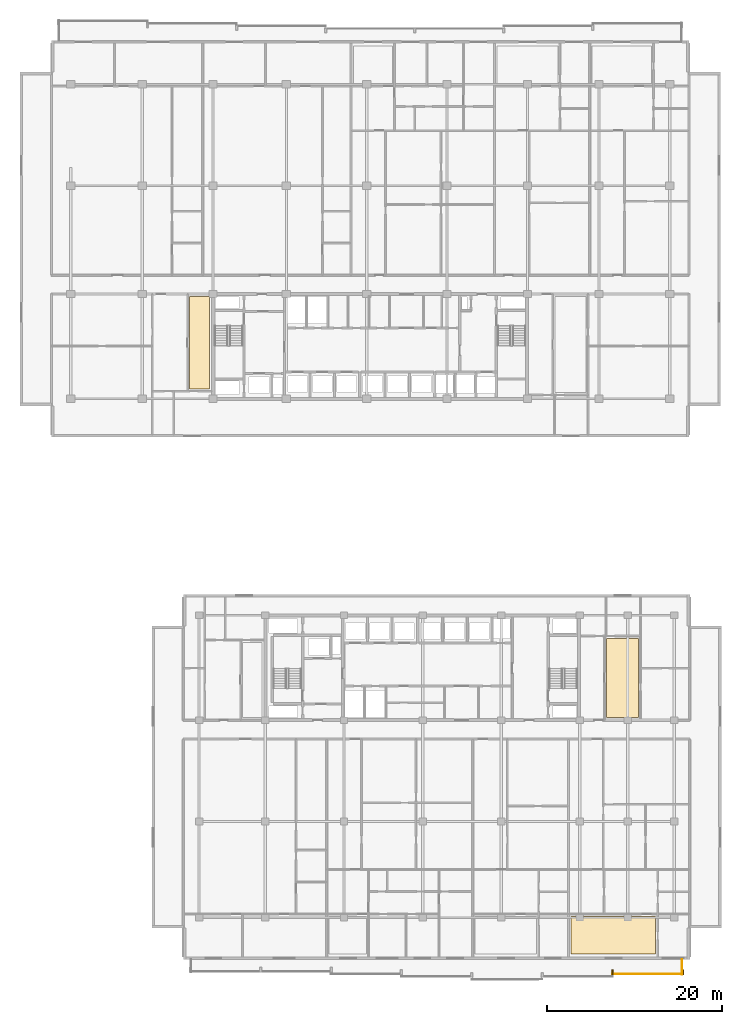
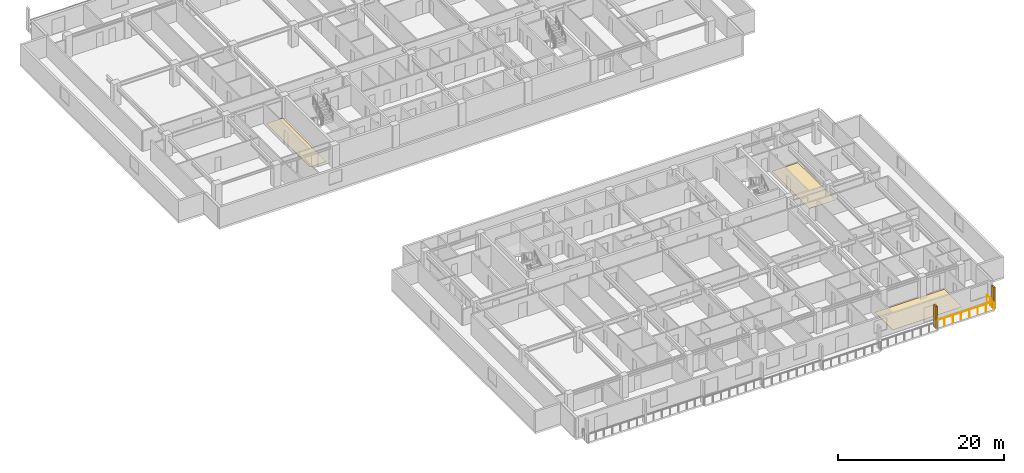
# One storey, part 20 of 22: 3 coverings, 2 railings, 2 shading devices.
"""IFC4 building model written with IfcOpenShell, lengths in metres."""

from ifc_helpers import new_model, si_unit, direction, frame, origin, origin_2d, place, context, subcontext, project, spatial, polyline, rectangle, circle, outline, extrude, material, layer, layer_set, type_object, element, save


model = new_model("IFC4")

# Units and contexts
model_context = context("Model", 3, precision=1e-05, world=origin(), true_north=direction((0.0, 1.0)))
body_context = subcontext(model_context, "Body", "Model", "MODEL_VIEW")
ifc_project = project(units=[si_unit("LENGTHUNIT", "METRE"), si_unit("AREAUNIT", "SQUARE_METRE"), si_unit("VOLUMEUNIT", "CUBIC_METRE"), si_unit("PLANEANGLEUNIT", "RADIAN"), si_unit("MASSUNIT", "GRAM", prefix="KILO")], contexts=[model_context])

# Site, building, storey
site_placement = place(None, origin())
site = spatial("IfcSite", under=ifc_project, at=site_placement, CompositionType="ELEMENT")
building_placement = place(site_placement, origin())
building = spatial("IfcBuilding", under=site, at=building_placement, Name="Korimba Cascade Residences", CompositionType="ELEMENT")
storey_placement = place(building_placement, frame((0.0, 0.0, 90.550048828125)))
storey = spatial("IfcBuildingStorey", under=building, at=storey_placement, Name="L25", CompositionType="ELEMENT", Elevation=90.550048828125)

# Coverings
ifc_material_1 = material(Name="Engineered Spotted-Gum Timber Flooring", Category="wood")
ifc_layer = layer(ifc_material_1, 0.02001953125)
ifc_layer_set = layer_set([ifc_layer], Name="Engineered Spotted-Gum Timber Flooring")
covering_type = type_object("IfcCoveringType", Name="COV-FLR-TIM", PredefinedType="FLOORING", material=ifc_layer_set)
covering_1_placement = place(storey_placement, origin())
element("IfcCovering", 1, at=covering_1_placement, inside=storey, type_object=covering_type, Name="L25 Spotted-Gum Timber Flooring L25-T1-FW-L", PredefinedType="FLOORING", context=body_context, shape_type="SweptSolid", body=[
    extrude(outline(polyline([(73.429931640625, 56.340087890625), (75.699951171875, 56.340087890625), (75.699951171875, 66.89990234375), (73.429931640625, 66.89990234375), (73.429931640625, 56.340087890625)])), origin(), (0.0, 0.0, 1.0), 0.02001953125),
])
covering_2_placement = place(storey_placement, origin())
element("IfcCovering", 2, at=covering_2_placement, inside=storey, type_object=covering_type, Name="L25 Spotted-Gum Timber Flooring L25-T2-FE-L", PredefinedType="FLOORING", context=body_context, shape_type="SweptSolid", body=[
    extrude(outline(polyline([(121.159912109375, 18.699951171875), (124.800048828125, 18.699951171875), (124.800048828125, 27.780029296875), (121.159912109375, 27.780029296875), (121.159912109375, 18.699951171875)])), origin(), (0.0, 0.0, 1.0), 0.02001953125),
])
covering_3_placement = place(storey_placement, origin())
element("IfcCovering", 3, at=covering_3_placement, inside=storey, type_object=covering_type, Name="L25 Spotted-Gum Timber Flooring L25-T2-U04-L", PredefinedType="FLOORING", context=body_context, shape_type="SweptSolid", body=[
    extrude(outline(polyline([(117.08251953125, -8.3798828125), (126.7900390625, -8.3798828125), (126.7900390625, -4.070068359375), (117.08251953125, -4.070068359375), (117.08251953125, -8.3798828125)])), origin(), (0.0, 0.0, 1.0), 0.02001953125),
])

# Railings
ifc_material_2 = material(Name="Laminated Glass and Bronze Balustrade", Category="glass")
railing_type = type_object("IfcRailingType", Name="RLG-LOG-1150", PredefinedType="BALUSTRADE", material=ifc_material_2)
railing_1_placement = place(storey_placement, frame((121.843017578125, -10.669921875, 0.0)))
element("IfcRailing", 4, at=railing_1_placement, inside=storey, type_object=railing_type, Name="L25 Perimeter Guardrail RLG-L25-T2-LOG-06", PredefinedType="BALUSTRADE", context=body_context, shape_type="SweptSolid", body=[
    extrude(circle(Radius=0.02392578125, at=origin_2d()), frame((0.0, 0.0, 1.1259765625), z_axis=(1.0, 0.0, 0.0), x_axis=(0.0, 1.0, 0.0)), (0.0, 0.0, 1.0), 8.056884765625),
    extrude(circle(Radius=0.02099609375, at=origin_2d()), origin(), (0.0, 0.0, 1.0), 1.101806640625),
    extrude(circle(Radius=0.02099609375, at=origin_2d()), frame((1.15087890625, 0.0, 0.0)), (0.0, 0.0, 1.0), 1.101806640625),
    extrude(circle(Radius=0.02099609375, at=origin_2d()), frame((2.302001953125, 0.0, 0.0)), (0.0, 0.0, 1.0), 1.101806640625),
    extrude(circle(Radius=0.02099609375, at=origin_2d()), frame((3.452880859375, 0.0, 0.0)), (0.0, 0.0, 1.0), 1.101806640625),
    extrude(circle(Radius=0.02099609375, at=origin_2d()), frame((4.60400390625, 0.0, 0.0)), (0.0, 0.0, 1.0), 1.101806640625),
    extrude(circle(Radius=0.02099609375, at=origin_2d()), frame((5.7548828125, 0.0, 0.0)), (0.0, 0.0, 1.0), 1.101806640625),
    extrude(circle(Radius=0.02099609375, at=origin_2d()), frame((6.906005859375, 0.0, 0.0)), (0.0, 0.0, 1.0), 1.101806640625),
    extrude(circle(Radius=0.02099609375, at=origin_2d()), frame((8.056884765625, 0.0, 0.0)), (0.0, 0.0, 1.0), 1.101806640625),
])
railing_2_placement = place(storey_placement, frame((129.820068359375, -10.75, 0.0)))
element("IfcRailing", 5, at=railing_2_placement, inside=storey, type_object=railing_type, Name="L25 Perimeter Guardrail RLG-L25-T2-LOG-07", PredefinedType="BALUSTRADE", context=body_context, shape_type="SweptSolid", body=[
    extrude(circle(Radius=0.02392578125, at=origin_2d()), frame((0.0, 0.0, 1.1259765625), z_axis=(0.0, 1.0, 0.0), x_axis=(-1.0, 0.0, 0.0)), (0.0, 0.0, 1.0), 1.75),
    extrude(circle(Radius=0.02099609375, at=origin_2d()), origin(), (0.0, 0.0, 1.0), 1.101806640625),
    extrude(circle(Radius=0.02099609375, at=origin_2d()), frame((0.0, 0.875, 0.0)), (0.0, 0.0, 1.0), 1.101806640625),
    extrude(circle(Radius=0.02099609375, at=origin_2d()), frame((0.0, 1.75, 0.0)), (0.0, 0.0, 1.0), 1.101806640625),
])

# Shading devices
ifc_material_3 = material(Name="Honed Sandstone Precast Fin", Category="masonry")
shading_device_type = type_object("IfcShadingDeviceType", Name="SHD-FIN-550", PredefinedType="USERDEFINED", material=ifc_material_3)
for number, where, z_axis, x_axis, name in (
    (6, (121.843017578125, -10.47509765625, 0.0), (0.0, 0.0, 1.0), (1.0, 0.0, 0.0), "L25 T2 Warm-Stone Loggia Fin 7"),
    (7, (129.89990234375, -10.47509765625, 0.0), (0.0, 0.0, 1.0), (1.0, 0.0, 0.0), "L25 T2 Warm-Stone Loggia Fin 8"),
):
    element("IfcShadingDevice", number, at=place(storey_placement, frame(where, z_axis=z_axis, x_axis=x_axis)), inside=storey, type_object=shading_device_type, Name=name, ObjectType="FIN", PredefinedType="USERDEFINED", context=body_context, shape_type="SweptSolid", body=[
        extrude(rectangle(XDim=0.219970703125, YDim=0.550048828125, at=origin_2d()), origin(), (0.0, 0.0, 1.0), 3.25),
    ])

save(model, "model.ifc")
